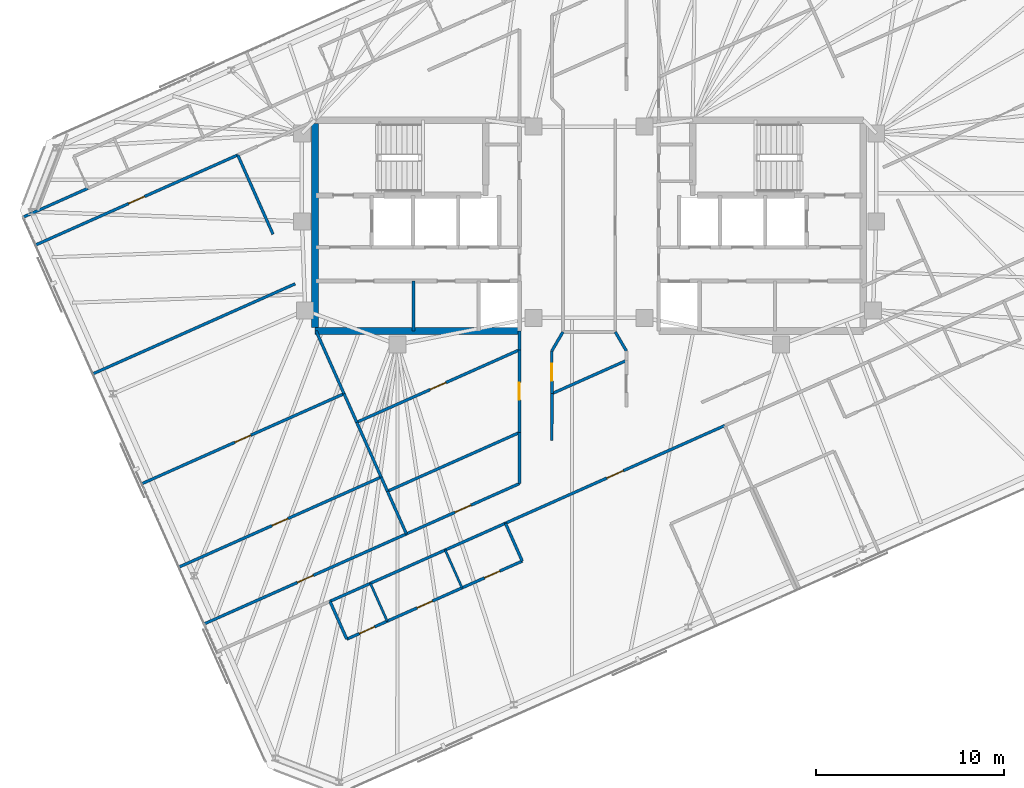
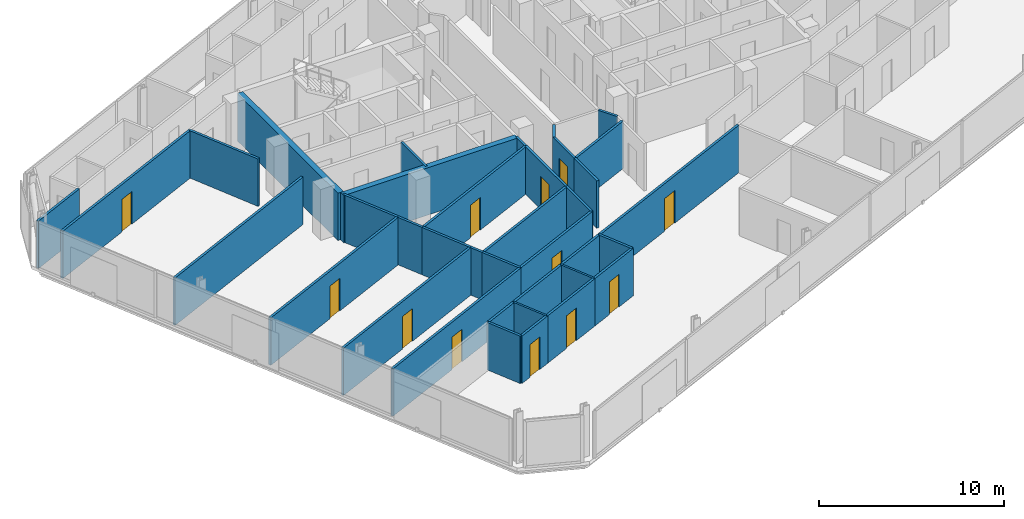
# One storey, part 13 of 19: 37 walls, 12 doors, 12 openings.
"""IFC4 building model written with IfcOpenShell, lengths in metres."""

import ifcopenshell
import ifcopenshell.guid

model = None  # the IFC model being written
_history = None  # IfcOwnerHistory: only IFC2X3 demands one
_inside = {}  # id of a spatial element -> (the spatial element, [elements in it])
_under = {}  # id of a project, library or spatial element -> (it, [spatial elements below it])
_declared = {}  # id of a project -> (the project, [libraries it declares])
_typed = {}  # id of a type object -> (the type object, [elements of that type])
_made_of = {}  # id of a material, layer set ... -> (it, [elements and type objects made of it])


def new_model(schema):
    """Start an empty IFC model of exactly this schema.

    Asked for "IFC4X3", IfcOpenShell would pick the latest addendum, in which some entities
    have other attributes; the version numbers below select the first issue.
    IFC2X3 requires an IfcOwnerHistory on every rooted entity: one is made here for all.
    """
    global model, _history
    if schema == "IFC4X3":
        model = ifcopenshell.file(schema_version=(4, 3, 0, 0))
    else:
        model = ifcopenshell.file(schema=schema)
    _inside.clear()
    _under.clear()
    _declared.clear()
    _typed.clear()
    _made_of.clear()
    _history = None
    if model.schema == "IFC2X3":
        org = make("IfcOrganization", Name="unknown")
        user = make(
            "IfcPersonAndOrganization",
            ThePerson=make("IfcPerson", FamilyName="unknown"),
            TheOrganization=org,
        )
        app = make(
            "IfcApplication",
            ApplicationDeveloper=org,
            Version="unknown",
            ApplicationFullName="unknown",
            ApplicationIdentifier="unknown",
        )
        _history = make(
            "IfcOwnerHistory",
            OwningUser=user,
            OwningApplication=app,
            ChangeAction="ADDED",
            CreationDate=0,
        )
    return model


def make(cls, **values):
    """One entity of the class cls with the attributes given. An attribute that is None is left unset."""
    return model.create_entity(
        cls, **{name: value for name, value in values.items() if value is not None}
    )


def rooted(cls, **values):
    """An entity with a GlobalId (a new one), such as an element, a storey or a relation."""
    return make(cls, GlobalId=ifcopenshell.guid.new(), OwnerHistory=_history, **values)


def si_unit(unit_type, name, prefix=None):
    """IfcSIUnit, for example si_unit("LENGTHUNIT", "METRE", prefix="MILLI")."""
    return make("IfcSIUnit", UnitType=unit_type, Prefix=prefix, Name=name)


def assignment(units):
    """IfcUnitAssignment: the units of a project."""
    return None if units is None else make("IfcUnitAssignment", Units=units)


def point(xyz):
    """IfcCartesianPoint."""
    return None if xyz is None else make("IfcCartesianPoint", Coordinates=xyz)


def direction(xyz):
    """IfcDirection."""
    return None if xyz is None else make("IfcDirection", DirectionRatios=xyz)


def frame(location, z_axis=None, x_axis=None):
    """IfcAxis2Placement3D, a coordinate frame: its origin and axes. An axis left out is left unset."""
    return make(
        "IfcAxis2Placement3D",
        Location=point(location),
        Axis=direction(z_axis),
        RefDirection=direction(x_axis),
    )


def frame_2d(location, x_axis=None):
    """IfcAxis2Placement2D, a coordinate frame in the plane: its origin and x axis."""
    return make(
        "IfcAxis2Placement2D", Location=point(location), RefDirection=direction(x_axis)
    )


def origin():
    """The frame at (0, 0, 0) with its axes left unset."""
    return frame((0.0, 0.0, 0.0))


def place(relative_to, where):
    """IfcLocalPlacement: puts the frame where relative to a parent placement (None: the world)."""
    return make(
        "IfcLocalPlacement", PlacementRelTo=relative_to, RelativePlacement=where
    )


def context(
    kind, dimensions, precision=None, world=None, true_north=None, identifier=None
):
    """IfcGeometricRepresentationContext, for example the 3D "Model" context."""
    return make(
        "IfcGeometricRepresentationContext",
        ContextIdentifier=identifier,
        ContextType=kind,
        CoordinateSpaceDimension=dimensions,
        Precision=precision,
        WorldCoordinateSystem=world,
        TrueNorth=true_north,
    )


def subcontext(parent, identifier, kind, view, scale=None):
    """IfcGeometricRepresentationSubContext, for example "Body" below "Model"."""
    return make(
        "IfcGeometricRepresentationSubContext",
        ContextIdentifier=identifier,
        ContextType=kind,
        ParentContext=parent,
        TargetScale=scale,
        TargetView=view,
    )


def project(units=None, contexts=None):
    """IfcProject with its units and contexts."""
    return rooted(
        "IfcProject",
        Name="project",
        RepresentationContexts=contexts,
        UnitsInContext=assignment(units),
    )


def spatial(cls, under=None, at=None, **own):
    """A site, building, storey or space (cls), placed at a placement, below another one or the project."""
    s = rooted(cls, ObjectPlacement=at, **own)
    if under is not None:
        _under.setdefault(under.id(), (under, []))[1].append(s)
    return s


def profile(cls, at=None, kind="AREA", **sizes):
    """A parametric profile (cls). Its sizes go by their IFC names, for example OverallWidth=200.0."""
    return make(cls, ProfileType=kind, Position=at, **sizes)


def rectangle(**sizes):
    """IfcRectangleProfileDef."""
    return profile("IfcRectangleProfileDef", **sizes)


def extrude(swept, where, along, depth):
    """IfcExtrudedAreaSolid: the profile swept, set in the frame where, extruded along a direction by depth."""
    return make(
        "IfcExtrudedAreaSolid",
        SweptArea=swept,
        Position=where,
        ExtrudedDirection=direction(along),
        Depth=depth,
    )


def shape(context_of_items, identifier, shape_type, items):
    """IfcShapeRepresentation: the items that make up one representation, for example the "Body"."""
    return make(
        "IfcShapeRepresentation",
        ContextOfItems=context_of_items,
        RepresentationIdentifier=identifier,
        RepresentationType=shape_type,
        Items=items,
    )


def material(Name=None, Category=None):
    """IfcMaterial."""
    return make("IfcMaterial", Name=Name, Category=Category)


def layer(
    of_material, thickness, ventilated=None, Name=None, Category=None, Priority=None
):
    """IfcMaterialLayer: one layer of a wall or slab, of a material (None: an air gap)."""
    return make(
        "IfcMaterialLayer",
        Material=of_material,
        LayerThickness=thickness,
        IsVentilated=ventilated,
        Name=Name,
        Category=Category,
        Priority=Priority,
    )


def layer_set(layers, Name=None):
    """IfcMaterialLayerSet."""
    return make("IfcMaterialLayerSet", MaterialLayers=layers, LayerSetName=Name)


def made_of(thing, what):
    """Note that an element or type object is made of a material, layer set ...; save() writes the relation."""
    if what is not None:
        _made_of.setdefault(what.id(), (what, []))[1].append(thing)
    return thing


def type_object(cls, material=None, **own):
    """A type object (cls), such as IfcWallType, which elements share."""
    return made_of(rooted(cls, **own), material)


def element(
    cls,
    number,
    at=None,
    inside=None,
    cuts=None,
    type_object=None,
    material=None,
    context=None,
    identifier="Body",
    shape_type=None,
    held_by="IfcProductDefinitionShape",
    body=None,
    shapes=None,
    **own,
):
    """One element of the class cls, such as IfcWall. Its Tag is "e" and its number.

    at: its placement. inside: the storey or other place that contains it. cuts: it is an
    opening in that element (IfcRelVoidsElement). A single representation is given by context,
    identifier, shape_type and body (its items); several are given by shapes. held_by: the class
    of the entity that holds the representations. save() writes the other relations.
    """
    e = rooted(cls, Tag="e%d" % number, ObjectPlacement=at, **own)
    if body is not None:
        shapes = [shape(context, identifier, shape_type, body)]
    if shapes is not None:
        e.Representation = make(held_by, Representations=shapes)
    if inside is not None:
        _inside.setdefault(inside.id(), (inside, []))[1].append(e)
    if cuts is not None:
        rooted(
            "IfcRelVoidsElement", RelatingBuildingElement=cuts, RelatedOpeningElement=e
        )
    if type_object is not None:
        _typed.setdefault(type_object.id(), (type_object, []))[1].append(e)
    return made_of(e, material)


def fill(opening, filler):
    """IfcRelFillsElement: the door or window that sits in an opening."""
    return rooted(
        "IfcRelFillsElement",
        RelatingOpeningElement=opening,
        RelatedBuildingElement=filler,
    )


def aggregate(whole, parts):
    """IfcRelAggregates: a whole, such as a stair, and the parts it consists of."""
    return rooted("IfcRelAggregates", RelatingObject=whole, RelatedObjects=parts)


def save(model, path):
    """Write the relations noted so far, then the file.

    IfcRelAggregates (storeys below a building ...), IfcRelContainedInSpatialStructure (elements
    in a storey), IfcRelDefinesByType, IfcRelAssociatesMaterial and IfcRelDeclares: one each for
    every whole, place, type object, material and project.
    """
    for whole, parts in _under.values():
        aggregate(whole, parts)
    for where, things in _inside.values():
        rooted(
            "IfcRelContainedInSpatialStructure",
            RelatedElements=things,
            RelatingStructure=where,
        )
    for kind, things in _typed.values():
        rooted("IfcRelDefinesByType", RelatedObjects=things, RelatingType=kind)
    for what, things in _made_of.values():
        rooted("IfcRelAssociatesMaterial", RelatedObjects=things, RelatingMaterial=what)
    for by, libraries in _declared.values():
        rooted("IfcRelDeclares", RelatingContext=by, RelatedDefinitions=libraries)
    model.write(path)


model = new_model("IFC4")

# Units and contexts
model_context = context("Model", 3, precision=1e-05, world=origin(), true_north=direction((0.0, 1.0)))
body_context = subcontext(model_context, "Body", "Model", "MODEL_VIEW")
ifc_project = project(units=[si_unit("LENGTHUNIT", "METRE"), si_unit("AREAUNIT", "SQUARE_METRE"), si_unit("VOLUMEUNIT", "CUBIC_METRE"), si_unit("PLANEANGLEUNIT", "RADIAN"), si_unit("MASSUNIT", "GRAM", prefix="KILO")], contexts=[model_context])

# Site, building, storey
site_placement = place(None, origin())
site = spatial("IfcSite", under=ifc_project, at=site_placement, CompositionType="ELEMENT")
building_placement = place(site_placement, origin())
building = spatial("IfcBuilding", under=site, at=building_placement, Name="Menara Jurai Vektor", CompositionType="ELEMENT")
storey_placement = place(building_placement, frame((0.0, 0.0, 291.949951171875)))
storey = spatial("IfcBuildingStorey", under=building, at=storey_placement, Name="L78", CompositionType="ELEMENT", Elevation=291.949951171875)

# Walls
ifc_material_1 = material(Name="Gypsum Fireboard Partition", Category="gypsum")
ifc_layer_1 = layer(ifc_material_1, 0.14990234375)
ifc_layer_set_1 = layer_set([ifc_layer_1], Name="Gypsum Fireboard Partition")
wall_type_1 = type_object("IfcWallType", Name="INT-WALL-CORR-150", PredefinedType="PARTITIONING", material=ifc_layer_set_1)
wall_1_placement = place(storey_placement, frame((-9.320068359375, -5.60009765625, 0.0), z_axis=(0.0, 0.0, 1.0), x_axis=(0.0, 1.0, 0.0)))
element("IfcWall", 1, at=wall_1_placement, inside=storey, type_object=wall_type_1, Name="Interior Wall IW-150 L78", PredefinedType="PARTITIONING", context=body_context, shape_type="SweptSolid", body=[
    extrude(rectangle(XDim=2.650146484375, YDim=0.14990234375, at=frame_2d((1.3251953125, 0.0))), origin(), (0.0, 0.0, 1.0), 3.125),
])
wall_2_placement = place(storey_placement, frame((-30.063232421875, 0.44384765625, 0.0), z_axis=(0.0, 0.0, 1.0), x_axis=(0.913541633228, 0.406745232743, 0.0)))
element("IfcWall", 2, at=wall_2_placement, inside=storey, type_object=wall_type_1, Name="Interior Wall IW-150 L78", PredefinedType="PARTITIONING", context=body_context, shape_type="SweptSolid", body=[
    extrude(rectangle(XDim=3.77001953125, YDim=0.14990234375, at=frame_2d((1.885009765625, 0.0))), origin(), (0.0, 0.0, 1.0), 3.125),
])

# Wall, opening, door
wall_3_placement = place(storey_placement, frame((-4.445068359375, -15.808349609375, 0.0), z_axis=(0.0, 0.0, 1.0), x_axis=(0.913546853922, 0.406733506966, 0.0)))
wall_3 = element("IfcWall", 3, at=wall_3_placement, inside=storey, type_object=wall_type_1, Name="Interior Wall IW-150 L78", PredefinedType="PARTITIONING", context=body_context, shape_type="SweptSolid", body=[
    extrude(rectangle(XDim=12.7509765625, YDim=0.14990234375, at=frame_2d((6.37548828125, 0.0))), origin(), (0.0, 0.0, 1.0), 3.125),
])
opening_1_placement = place(wall_3_placement, frame((5.900390625, 0.0, 0.0)))
opening_1 = element("IfcOpeningElement", 4, at=opening_1_placement, cuts=wall_3, Name="Opening D78-21", PredefinedType="OPENING", context=body_context, shape_type="SweptSolid", body=[
    extrude(rectangle(XDim=0.949951171875, YDim=2.14990234375, at=frame_2d((0.47509765625, 1.074951171875))), frame((0.0, 0.0849609375, 0.0), z_axis=(0.0, -1.0, 0.0), x_axis=(1.0, 0.0, 0.0)), (0.0, 0.0, 1.0), 0.169921875),
])
ifc_material_2 = material(Name="Solid Core Timber Fire Door", Category="wood")
door_type_1 = type_object("IfcDoorType", Name="DR-ENTRY-950", OperationType="NOTDEFINED", PredefinedType="DOOR", material=ifc_material_2)
door_1_placement = place(opening_1_placement, origin())
door_1 = element("IfcDoor", 5, at=door_1_placement, inside=storey, type_object=door_type_1, Name="Interior Door D78-21", OperationType="SINGLE_SWING_RIGHT", OverallHeight=2.14990234375, OverallWidth=0.949951171875, PredefinedType="DOOR", context=body_context, shape_type="SweptSolid", body=[
    extrude(rectangle(XDim=0.949951171875, YDim=2.14990234375, at=frame_2d((0.47509765625, 1.074951171875))), frame((0.0, 0.02490234375, 0.0), z_axis=(0.0, -1.0, 0.0), x_axis=(1.0, 0.0, 0.0)), (0.0, 0.0, 1.0), 0.050048828125),
])
fill(opening_1, door_1)

# Walls
wall_4_placement = place(storey_placement, frame((-13.76318359375, -19.95703125, 0.0), z_axis=(0.0, 0.0, 1.0), x_axis=(0.913541436194, 0.406745675276, 0.0)))
element("IfcWall", 6, at=wall_4_placement, inside=storey, type_object=wall_type_1, Name="Interior Wall IW-150 L78", PredefinedType="PARTITIONING", context=body_context, shape_type="SweptSolid", body=[
    extrude(rectangle(XDim=2.349853515625, YDim=0.14990234375, at=frame_2d((1.1748046875, 0.0))), origin(), (0.0, 0.0, 1.0), 3.125),
])
wall_5_placement = place(storey_placement, frame((-11.616455078125, -19.001220703125, 0.0), z_axis=(0.0, 0.0, 1.0), x_axis=(0.913545193015, 0.406737237438, 0.0)))
element("IfcWall", 7, at=wall_5_placement, inside=storey, type_object=wall_type_1, Name="Interior Wall IW-150 L78", PredefinedType="PARTITIONING", context=body_context, shape_type="SweptSolid", body=[
    extrude(rectangle(XDim=4.349853515625, YDim=0.14990234375, at=frame_2d((2.1748046875, 0.0))), origin(), (0.0, 0.0, 1.0), 3.125),
])
wall_6_placement = place(storey_placement, frame((-7.642578125, -17.23193359375, 0.0), z_axis=(0.0, 0.0, 1.0), x_axis=(0.913549606868, 0.406727323635, 0.0)))
element("IfcWall", 8, at=wall_6_placement, inside=storey, type_object=wall_type_1, Name="Interior Wall IW-150 L78", PredefinedType="PARTITIONING", context=body_context, shape_type="SweptSolid", body=[
    extrude(rectangle(XDim=3.5, YDim=0.14990234375, at=frame_2d((1.75, 0.0))), origin(), (0.0, 0.0, 1.0), 3.125),
])

# Wall, opening, door
wall_7_placement = place(storey_placement, frame((-20.4453125, -21.15869140625, 0.0), z_axis=(0.0, 0.0, 1.0), x_axis=(0.913547681516, 0.406731648137, 0.0)))
wall_7 = element("IfcWall", 9, at=wall_7_placement, inside=storey, type_object=wall_type_1, Name="Interior Wall IW-150 L78", PredefinedType="PARTITIONING", context=body_context, shape_type="SweptSolid", body=[
    extrude(rectangle(XDim=11.760009765625, YDim=0.14990234375, at=frame_2d((5.8798828125, 0.0))), origin(), (0.0, 0.0, 1.0), 3.125),
])
opening_2_placement = place(wall_7_placement, frame((5.419921875, 0.0, 0.0)))
opening_2 = element("IfcOpeningElement", 10, at=opening_2_placement, cuts=wall_7, Name="Opening D78-31", PredefinedType="OPENING", context=body_context, shape_type="SweptSolid", body=[
    extrude(rectangle(XDim=0.919921875, YDim=2.14990234375, at=frame_2d((0.4599609375, 1.074951171875))), frame((0.0, 0.0849609375, 0.0), z_axis=(0.0, -1.0, 0.0), x_axis=(1.0, 0.0, 0.0)), (0.0, 0.0, 1.0), 0.169921875),
])
door_2_placement = place(opening_2_placement, origin())
door_2 = element("IfcDoor", 11, at=door_2_placement, inside=storey, type_object=door_type_1, Name="Interior Door D78-31", OperationType="SINGLE_SWING_RIGHT", OverallHeight=2.14990234375, OverallWidth=0.919921875, PredefinedType="DOOR", context=body_context, shape_type="SweptSolid", body=[
    extrude(rectangle(XDim=0.919921875, YDim=2.14990234375, at=frame_2d((0.4599609375, 1.074951171875))), frame((0.0, 0.02490234375, 0.0), z_axis=(0.0, -1.0, 0.0), x_axis=(1.0, 0.0, 0.0)), (0.0, 0.0, 1.0), 0.050048828125),
])
fill(opening_2, door_2)

wall_8_placement = place(storey_placement, frame((-29.404296875, -1.0361328125, 0.0), z_axis=(0.0, 0.0, 1.0), x_axis=(0.913544247064, 0.406739362069, 0.0)))
wall_8 = element("IfcWall", 12, at=wall_8_placement, inside=storey, type_object=wall_type_1, Name="Interior Wall IW-150 L78", PredefinedType="PARTITIONING", context=body_context, shape_type="SweptSolid", body=[
    extrude(rectangle(XDim=11.759765625, YDim=0.14990234375, at=frame_2d((5.8798828125, 0.0))), origin(), (0.0, 0.0, 1.0), 3.125),
])
opening_3_placement = place(wall_8_placement, frame((5.419921875, 0.0, 0.0)))
opening_3 = element("IfcOpeningElement", 13, at=opening_3_placement, cuts=wall_8, Name="Opening D78-34", PredefinedType="OPENING", context=body_context, shape_type="SweptSolid", body=[
    extrude(rectangle(XDim=0.919921875, YDim=2.14990234375, at=frame_2d((0.4599609375, 1.074951171875))), frame((0.0, 0.0849609375, 0.0), z_axis=(0.0, -1.0, 0.0), x_axis=(1.0, 0.0, 0.0)), (0.0, 0.0, 1.0), 0.169921875),
])
door_3_placement = place(opening_3_placement, origin())
door_3 = element("IfcDoor", 14, at=door_3_placement, inside=storey, type_object=door_type_1, Name="Interior Door D78-34", OperationType="SINGLE_SWING_LEFT", OverallHeight=2.14990234375, OverallWidth=0.919921875, PredefinedType="DOOR", context=body_context, shape_type="SweptSolid", body=[
    extrude(rectangle(XDim=0.919921875, YDim=2.14990234375, at=frame_2d((0.4599609375, 1.074951171875))), frame((0.0, 0.02490234375, 0.0), z_axis=(0.0, -1.0, 0.0), x_axis=(1.0, 0.0, 0.0)), (0.0, 0.0, 1.0), 0.050048828125),
])
fill(opening_3, door_3)

# Wall
wall_9_placement = place(storey_placement, frame((-1.97998046875, -11.4072265625, 0.0), z_axis=(0.0, 0.0, 1.0), x_axis=(9.8551295e-05, 0.999999995144, 0.0)))
element("IfcWall", 15, at=wall_9_placement, inside=storey, type_object=wall_type_1, Name="Interior Wall IW-150 L78", PredefinedType="PARTITIONING", context=body_context, shape_type="SweptSolid", body=[
    extrude(rectangle(XDim=2.477294921875, YDim=0.14990234375, at=frame_2d((1.23876953125, 0.0))), origin(), (0.0, 0.0, 1.0), 3.125),
])

# Wall, opening, door
wall_10_placement = place(storey_placement, frame((-1.979736328125, -8.929931640625, 0.0), z_axis=(0.0, 0.0, 1.0), x_axis=(-0.000107446008, 0.999999994228, 0.0)))
wall_10 = element("IfcWall", 16, at=wall_10_placement, inside=storey, type_object=wall_type_1, Name="Interior Wall IW-150 L78", PredefinedType="PARTITIONING", context=body_context, shape_type="SweptSolid", body=[
    extrude(rectangle(XDim=2.272216796875, YDim=0.14990234375, at=frame_2d((1.13623046875, 0.0))), origin(), (0.0, 0.0, 1.0), 3.125),
])
opening_4_placement = place(wall_10_placement, frame((0.67626953125, 0.0, 0.0)))
opening_4 = element("IfcOpeningElement", 17, at=opening_4_placement, cuts=wall_10, Name="Opening D78-37", PredefinedType="OPENING", context=body_context, shape_type="SweptSolid", body=[
    extrude(rectangle(XDim=0.919921875, YDim=2.14990234375, at=frame_2d((0.4599609375, 1.074951171875))), frame((0.0, 0.0849609375, 0.0), z_axis=(0.0, -1.0, 0.0), x_axis=(1.0, 0.0, 0.0)), (0.0, 0.0, 1.0), 0.169921875),
])
door_4_placement = place(opening_4_placement, origin())
door_4 = element("IfcDoor", 18, at=door_4_placement, inside=storey, type_object=door_type_1, Name="Interior Door D78-37", OperationType="SINGLE_SWING_RIGHT", OverallHeight=2.14990234375, OverallWidth=0.919921875, PredefinedType="DOOR", context=body_context, shape_type="SweptSolid", body=[
    extrude(rectangle(XDim=0.919921875, YDim=2.14990234375, at=frame_2d((0.4599609375, 1.074951171875))), frame((0.0, 0.02490234375, 0.0), z_axis=(0.0, -1.0, 0.0), x_axis=(1.0, 0.0, 0.0)), (0.0, 0.0, 1.0), 0.050048828125),
])
fill(opening_4, door_4)

# Walls
wall_11_placement = place(storey_placement, frame((-1.97998046875, -6.65771484375, 0.0), z_axis=(0.0, 0.0, 1.0), x_axis=(0.504651025514, 0.863323428645, 0.0)))
element("IfcWall", 19, at=wall_11_placement, inside=storey, type_object=wall_type_1, Name="Interior Wall IW-150 L78", PredefinedType="PARTITIONING", context=body_context, shape_type="SweptSolid", body=[
    extrude(rectangle(XDim=1.16748046875, YDim=0.14990234375, at=frame_2d((0.583740234375, 0.0))), origin(), (0.0, 0.0, 1.0), 3.125),
])
wall_12_placement = place(storey_placement, frame((1.390869140625, -5.650390625, 0.0), z_axis=(0.0, 0.0, 1.0), x_axis=(0.504339173621, -0.863505644424, 0.0)))
element("IfcWall", 20, at=wall_12_placement, inside=storey, type_object=wall_type_1, Name="Interior Wall IW-150 L78", PredefinedType="PARTITIONING", context=body_context, shape_type="SweptSolid", body=[
    extrude(rectangle(XDim=1.167236328125, YDim=0.14990234375, at=frame_2d((0.58349609375, 0.0))), origin(), (0.0, 0.0, 1.0), 3.125),
])

# Wall, opening, door
wall_13_placement = place(storey_placement, frame((-9.701904296875, -16.37548828125, 0.0), z_axis=(0.0, 0.0, 1.0), x_axis=(0.913552389019, 0.406721074594, 0.0)))
wall_13 = element("IfcWall", 21, at=wall_13_placement, inside=storey, type_object=wall_type_1, Name="Interior Wall IW-150 L78", PredefinedType="PARTITIONING", context=body_context, shape_type="SweptSolid", body=[
    extrude(rectangle(XDim=6.56982421875, YDim=0.14990234375, at=frame_2d((3.284912109375, 0.0))), origin(), (0.0, 0.0, 1.0), 3.125),
])
opening_5_placement = place(wall_13_placement, frame((2.824951171875, 0.0, 0.0)))
opening_5 = element("IfcOpeningElement", 22, at=opening_5_placement, cuts=wall_13, Name="Opening D78-40", PredefinedType="OPENING", context=body_context, shape_type="SweptSolid", body=[
    extrude(rectangle(XDim=0.919921875, YDim=2.14990234375, at=frame_2d((0.4599609375, 1.074951171875))), frame((0.0, 0.0849609375, 0.0), z_axis=(0.0, -1.0, 0.0), x_axis=(1.0, 0.0, 0.0)), (0.0, 0.0, 1.0), 0.169921875),
])
door_5_placement = place(opening_5_placement, origin())
door_5 = element("IfcDoor", 23, at=door_5_placement, inside=storey, type_object=door_type_1, Name="Interior Door D78-40", OperationType="SINGLE_SWING_LEFT", OverallHeight=2.14990234375, OverallWidth=0.919921875, PredefinedType="DOOR", context=body_context, shape_type="SweptSolid", body=[
    extrude(rectangle(XDim=0.919921875, YDim=2.14990234375, at=frame_2d((0.4599609375, 1.074951171875))), frame((0.0, 0.02490234375, 0.0), z_axis=(0.0, -1.0, 0.0), x_axis=(1.0, 0.0, 0.0)), (0.0, 0.0, 1.0), 0.050048828125),
])
fill(opening_5, door_5)

# Wall
wall_14_placement = place(storey_placement, frame((-3.699951171875, -13.703369140625, 0.0), z_axis=(0.0, 0.0, 1.0), x_axis=(9.0033312e-05, 0.999999995947, 0.0)))
element("IfcWall", 24, at=wall_14_placement, inside=storey, type_object=wall_type_1, Name="Interior Wall IW-150 L78", PredefinedType="PARTITIONING", context=body_context, shape_type="SweptSolid", body=[
    extrude(rectangle(XDim=2.711669921875, YDim=0.14990234375, at=frame_2d((1.35595703125, 0.0))), origin(), (0.0, 0.0, 1.0), 3.125),
])

# Wall, opening, door
wall_15_placement = place(storey_placement, frame((-3.69970703125, -10.99169921875, 0.0), z_axis=(0.0, 0.0, 1.0), x_axis=(0.0, 1.0, 0.0)))
wall_15 = element("IfcWall", 25, at=wall_15_placement, inside=storey, type_object=wall_type_1, Name="Interior Wall IW-150 L78", PredefinedType="PARTITIONING", context=body_context, shape_type="SweptSolid", body=[
    extrude(rectangle(XDim=4.390625, YDim=0.14990234375, at=frame_2d((2.1953125, 0.0))), origin(), (0.0, 0.0, 1.0), 3.125),
])
opening_6_placement = place(wall_15_placement, frame((1.7353515625, 0.0, 0.0)))
opening_6 = element("IfcOpeningElement", 26, at=opening_6_placement, cuts=wall_15, Name="Opening D78-41", PredefinedType="OPENING", context=body_context, shape_type="SweptSolid", body=[
    extrude(rectangle(XDim=0.919921875, YDim=2.14990234375, at=frame_2d((0.4599609375, 1.074951171875))), frame((0.0, 0.0849609375, 0.0), z_axis=(0.0, -1.0, 0.0), x_axis=(1.0, 0.0, 0.0)), (0.0, 0.0, 1.0), 0.169921875),
])
door_6_placement = place(opening_6_placement, origin())
door_6 = element("IfcDoor", 27, at=door_6_placement, inside=storey, type_object=door_type_1, Name="Interior Door D78-41", OperationType="SINGLE_SWING_RIGHT", OverallHeight=2.14990234375, OverallWidth=0.919921875, PredefinedType="DOOR", context=body_context, shape_type="SweptSolid", body=[
    extrude(rectangle(XDim=0.919921875, YDim=2.14990234375, at=frame_2d((0.4599609375, 1.074951171875))), frame((0.0, 0.02490234375, 0.0), z_axis=(0.0, -1.0, 0.0), x_axis=(1.0, 0.0, 0.0)), (0.0, 0.0, 1.0), 0.050048828125),
])
fill(opening_6, door_6)

# Walls
wall_16_placement = place(storey_placement, frame((-3.69970703125, -6.60107421875, 0.0), z_axis=(0.0, 0.0, 1.0), x_axis=(-0.000243783513, 0.999999970285, 0.0)))
element("IfcWall", 28, at=wall_16_placement, inside=storey, type_object=wall_type_1, Name="Interior Wall IW-150 L78", PredefinedType="PARTITIONING", context=body_context, shape_type="SweptSolid", body=[
    extrude(rectangle(XDim=1.00146484375, YDim=0.14990234375, at=frame_2d((0.500732421875, 0.0))), origin(), (0.0, 0.0, 1.0), 3.125),
])
wall_17_placement = place(storey_placement, frame((-12.868408203125, -21.966796875, 0.0), z_axis=(0.0, 0.0, 1.0), x_axis=(-0.406725294076, 0.913550510459, 0.0)))
element("IfcWall", 29, at=wall_17_placement, inside=storey, type_object=wall_type_1, Name="Interior Wall IW-150 L78", PredefinedType="PARTITIONING", context=body_context, shape_type="SweptSolid", body=[
    extrude(rectangle(XDim=2.199951171875, YDim=0.14990234375, at=frame_2d((1.10009765625, 0.0))), origin(), (0.0, 0.0, 1.0), 3.125),
])

# Wall, opening, door
wall_18_placement = place(storey_placement, frame((-12.868408203125, -21.966796875, 0.0), z_axis=(0.0, 0.0, 1.0), x_axis=(0.913541436194, 0.406745675276, 0.0)))
wall_18 = element("IfcWall", 30, at=wall_18_placement, inside=storey, type_object=wall_type_1, Name="Interior Wall IW-150 L78", PredefinedType="PARTITIONING", context=body_context, shape_type="SweptSolid", body=[
    extrude(rectangle(XDim=2.349853515625, YDim=0.14990234375, at=frame_2d((1.1748046875, 0.0))), origin(), (0.0, 0.0, 1.0), 3.125),
])
opening_7_placement = place(wall_18_placement, frame((0.735107421875, 0.0, 0.0)))
opening_7 = element("IfcOpeningElement", 31, at=opening_7_placement, cuts=wall_18, Name="Opening D78-22", PredefinedType="OPENING", context=body_context, shape_type="SweptSolid", body=[
    extrude(rectangle(XDim=0.8798828125, YDim=2.14990234375, at=frame_2d((0.43994140625, 1.074951171875))), frame((0.0, 0.0849609375, 0.0), z_axis=(0.0, -1.0, 0.0), x_axis=(1.0, 0.0, 0.0)), (0.0, 0.0, 1.0), 0.169921875),
])
ifc_material_3 = material(Name="Moisture-Resistant Timber Door", Category="wood")
door_type_2 = type_object("IfcDoorType", Name="DR-BATH-880", OperationType="NOTDEFINED", PredefinedType="DOOR", material=ifc_material_3)
door_7_placement = place(opening_7_placement, origin())
door_7 = element("IfcDoor", 32, at=door_7_placement, inside=storey, type_object=door_type_2, Name="Interior Door D78-22", OperationType="SINGLE_SWING_LEFT", OverallHeight=2.14990234375, OverallWidth=0.8798828125, PredefinedType="DOOR", context=body_context, shape_type="SweptSolid", body=[
    extrude(rectangle(XDim=0.8798828125, YDim=2.14990234375, at=frame_2d((0.43994140625, 1.074951171875))), frame((0.0, 0.02490234375, 0.0), z_axis=(0.0, -1.0, 0.0), x_axis=(1.0, 0.0, 0.0)), (0.0, 0.0, 1.0), 0.050048828125),
])
fill(opening_7, door_7)

wall_19_placement = place(storey_placement, frame((-10.7216796875, -21.010986328125, 0.0), z_axis=(0.0, 0.0, 1.0), x_axis=(0.913545193015, 0.406737237438, 0.0)))
wall_19 = element("IfcWall", 33, at=wall_19_placement, inside=storey, type_object=wall_type_1, Name="Interior Wall IW-150 L78", PredefinedType="PARTITIONING", context=body_context, shape_type="SweptSolid", body=[
    extrude(rectangle(XDim=4.349853515625, YDim=0.14990234375, at=frame_2d((2.1748046875, 0.0))), origin(), (0.0, 0.0, 1.0), 3.125),
])
opening_8_placement = place(wall_19_placement, frame((1.72509765625, 0.0, 0.0)))
opening_8 = element("IfcOpeningElement", 34, at=opening_8_placement, cuts=wall_19, Name="Opening D78-23", PredefinedType="OPENING", context=body_context, shape_type="SweptSolid", body=[
    extrude(rectangle(XDim=0.89990234375, YDim=2.14990234375, at=frame_2d((0.449951171875, 1.074951171875))), frame((0.0, 0.0849609375, 0.0), z_axis=(0.0, -1.0, 0.0), x_axis=(1.0, 0.0, 0.0)), (0.0, 0.0, 1.0), 0.169921875),
])
ifc_material_4 = material(Name="Acoustic Timber Interior Door", Category="wood")
door_type_3 = type_object("IfcDoorType", Name="DR-ROOM-900", OperationType="NOTDEFINED", PredefinedType="DOOR", material=ifc_material_4)
door_8_placement = place(opening_8_placement, origin())
door_8 = element("IfcDoor", 35, at=door_8_placement, inside=storey, type_object=door_type_3, Name="Interior Door D78-23", OperationType="SINGLE_SWING_RIGHT", OverallHeight=2.14990234375, OverallWidth=0.89990234375, PredefinedType="DOOR", context=body_context, shape_type="SweptSolid", body=[
    extrude(rectangle(XDim=0.89990234375, YDim=2.14990234375, at=frame_2d((0.449951171875, 1.074951171875))), frame((0.0, 0.02490234375, 0.0), z_axis=(0.0, -1.0, 0.0), x_axis=(1.0, 0.0, 0.0)), (0.0, 0.0, 1.0), 0.050048828125),
])
fill(opening_8, door_8)

wall_20_placement = place(storey_placement, frame((-6.747802734375, -19.24169921875, 0.0), z_axis=(0.0, 0.0, 1.0), x_axis=(0.913549606868, 0.406727323635, 0.0)))
wall_20 = element("IfcWall", 36, at=wall_20_placement, inside=storey, type_object=wall_type_1, Name="Interior Wall IW-150 L78", PredefinedType="PARTITIONING", context=body_context, shape_type="SweptSolid", body=[
    extrude(rectangle(XDim=3.5, YDim=0.14990234375, at=frame_2d((1.75, 0.0))), origin(), (0.0, 0.0, 1.0), 3.125),
])
opening_9_placement = place(wall_20_placement, frame((1.31005859375, 0.0, 0.0)))
opening_9 = element("IfcOpeningElement", 37, at=opening_9_placement, cuts=wall_20, Name="Opening D78-24", PredefinedType="OPENING", context=body_context, shape_type="SweptSolid", body=[
    extrude(rectangle(XDim=0.8798828125, YDim=2.14990234375, at=frame_2d((0.43994140625, 1.074951171875))), frame((0.0, 0.0849609375, 0.0), z_axis=(0.0, -1.0, 0.0), x_axis=(1.0, 0.0, 0.0)), (0.0, 0.0, 1.0), 0.169921875),
])
door_9_placement = place(opening_9_placement, origin())
door_9 = element("IfcDoor", 38, at=door_9_placement, inside=storey, type_object=door_type_2, Name="Interior Door D78-24", OperationType="SINGLE_SWING_LEFT", OverallHeight=2.14990234375, OverallWidth=0.8798828125, PredefinedType="DOOR", context=body_context, shape_type="SweptSolid", body=[
    extrude(rectangle(XDim=0.8798828125, YDim=2.14990234375, at=frame_2d((0.43994140625, 1.074951171875))), frame((0.0, 0.02490234375, 0.0), z_axis=(0.0, -1.0, 0.0), x_axis=(1.0, 0.0, 0.0)), (0.0, 0.0, 1.0), 0.050048828125),
])
fill(opening_9, door_9)

# Wall
wall_21_placement = place(storey_placement, frame((-3.55029296875, -17.818115234375, 0.0), z_axis=(0.0, 0.0, 1.0), x_axis=(-0.406725294076, 0.913550510459, 0.0)))
element("IfcWall", 39, at=wall_21_placement, inside=storey, type_object=wall_type_1, Name="Interior Wall IW-150 L78", PredefinedType="PARTITIONING", context=body_context, shape_type="SweptSolid", body=[
    extrude(rectangle(XDim=2.199951171875, YDim=0.14990234375, at=frame_2d((1.10009765625, 0.0))), origin(), (0.0, 0.0, 1.0), 3.125),
])

# Wall, opening, door
wall_22_placement = place(storey_placement, frame((-21.7890625, -18.140380859375, 0.0), z_axis=(0.0, 0.0, 1.0), x_axis=(0.913544247064, 0.406739362069, 0.0)))
wall_22 = element("IfcWall", 40, at=wall_22_placement, inside=storey, type_object=wall_type_1, Name="Interior Wall IW-150 L78", PredefinedType="PARTITIONING", context=body_context, shape_type="SweptSolid", body=[
    extrude(rectangle(XDim=11.759765625, YDim=0.14990234375, at=frame_2d((5.8798828125, 0.0))), origin(), (0.0, 0.0, 1.0), 3.125),
])
opening_10_placement = place(wall_22_placement, frame((5.419921875, 0.0, 0.0)))
opening_10 = element("IfcOpeningElement", 41, at=opening_10_placement, cuts=wall_22, Name="Opening D78-32", PredefinedType="OPENING", context=body_context, shape_type="SweptSolid", body=[
    extrude(rectangle(XDim=0.919921875, YDim=2.14990234375, at=frame_2d((0.4599609375, 1.074951171875))), frame((0.0, 0.0849609375, 0.0), z_axis=(0.0, -1.0, 0.0), x_axis=(1.0, 0.0, 0.0)), (0.0, 0.0, 1.0), 0.169921875),
])
door_10_placement = place(opening_10_placement, origin())
door_10 = element("IfcDoor", 42, at=door_10_placement, inside=storey, type_object=door_type_1, Name="Interior Door D78-32", OperationType="SINGLE_SWING_LEFT", OverallHeight=2.14990234375, OverallWidth=0.919921875, PredefinedType="DOOR", context=body_context, shape_type="SweptSolid", body=[
    extrude(rectangle(XDim=0.919921875, YDim=2.14990234375, at=frame_2d((0.4599609375, 1.074951171875))), frame((0.0, 0.02490234375, 0.0), z_axis=(0.0, -1.0, 0.0), x_axis=(1.0, 0.0, 0.0)), (0.0, 0.0, 1.0), 0.050048828125),
])
fill(opening_10, door_10)

# Walls
wall_23_placement = place(storey_placement, frame((-9.701904296875, -16.37548828125, 0.0), z_axis=(0.0, 0.0, 1.0), x_axis=(-0.406787689018, 0.913522728816, 0.0)))
element("IfcWall", 43, at=wall_23_placement, inside=storey, type_object=wall_type_1, Name="Interior Wall IW-150 L78", PredefinedType="PARTITIONING", context=body_context, shape_type="SweptSolid", body=[
    extrude(rectangle(XDim=2.476806640625, YDim=0.14990234375, at=frame_2d((1.23828125, 0.0))), origin(), (0.0, 0.0, 1.0), 3.125),
])
wall_24_placement = place(storey_placement, frame((-10.70947265625, -14.11279296875, 0.0), z_axis=(0.0, 0.0, 1.0), x_axis=(-0.406740884734, 0.913543569123, 0.0)))
element("IfcWall", 44, at=wall_24_placement, inside=storey, type_object=wall_type_1, Name="Interior Wall IW-150 L78", PredefinedType="PARTITIONING", context=body_context, shape_type="SweptSolid", body=[
    extrude(rectangle(XDim=0.8271484375, YDim=0.14990234375, at=frame_2d((0.41357421875, 0.0))), origin(), (0.0, 0.0, 1.0), 3.125),
])

# Wall, opening, door
wall_25_placement = place(storey_placement, frame((-23.760009765625, -13.71337890625, 0.0), z_axis=(0.0, 0.0, 1.0), x_axis=(0.913544247064, 0.406739362069, 0.0)))
wall_25 = element("IfcWall", 45, at=wall_25_placement, inside=storey, type_object=wall_type_1, Name="Interior Wall IW-150 L78", PredefinedType="PARTITIONING", context=body_context, shape_type="SweptSolid", body=[
    extrude(rectangle(XDim=11.759765625, YDim=0.14990234375, at=frame_2d((5.8798828125, 0.0))), origin(), (0.0, 0.0, 1.0), 3.125),
])
opening_11_placement = place(wall_25_placement, frame((5.419921875, 0.0, 0.0)))
opening_11 = element("IfcOpeningElement", 46, at=opening_11_placement, cuts=wall_25, Name="Opening D78-33", PredefinedType="OPENING", context=body_context, shape_type="SweptSolid", body=[
    extrude(rectangle(XDim=0.919921875, YDim=2.14990234375, at=frame_2d((0.4599609375, 1.074951171875))), frame((0.0, 0.0849609375, 0.0), z_axis=(0.0, -1.0, 0.0), x_axis=(1.0, 0.0, 0.0)), (0.0, 0.0, 1.0), 0.169921875),
])
door_11_placement = place(opening_11_placement, origin())
door_11 = element("IfcDoor", 47, at=door_11_placement, inside=storey, type_object=door_type_1, Name="Interior Door D78-33", OperationType="SINGLE_SWING_RIGHT", OverallHeight=2.14990234375, OverallWidth=0.919921875, PredefinedType="DOOR", context=body_context, shape_type="SweptSolid", body=[
    extrude(rectangle(XDim=0.919921875, YDim=2.14990234375, at=frame_2d((0.4599609375, 1.074951171875))), frame((0.0, 0.02490234375, 0.0), z_axis=(0.0, -1.0, 0.0), x_axis=(1.0, 0.0, 0.0)), (0.0, 0.0, 1.0), 0.050048828125),
])
fill(opening_11, door_11)

# Walls
wall_26_placement = place(storey_placement, frame((-11.0458984375, -13.357177734375, 0.0), z_axis=(0.0, 0.0, 1.0), x_axis=(-0.406707553978, 0.913558408388, 0.0)))
element("IfcWall", 48, at=wall_26_placement, inside=storey, type_object=wall_type_1, Name="Interior Wall IW-150 L78", PredefinedType="PARTITIONING", context=body_context, shape_type="SweptSolid", body=[
    extrude(rectangle(XDim=3.183837890625, YDim=0.14990234375, at=frame_2d((1.591796875, 0.0))), origin(), (0.0, 0.0, 1.0), 3.125),
])
wall_27_placement = place(storey_placement, frame((-12.3408203125, -10.448486328125, 0.0), z_axis=(0.0, 0.0, 1.0), x_axis=(-0.406751698222, 0.913538754511, 0.0)))
element("IfcWall", 49, at=wall_27_placement, inside=storey, type_object=wall_type_1, Name="Interior Wall IW-150 L78", PredefinedType="PARTITIONING", context=body_context, shape_type="SweptSolid", body=[
    extrude(rectangle(XDim=1.662109375, YDim=0.14990234375, at=frame_2d((0.8310546875, 0.0))), origin(), (0.0, 0.0, 1.0), 3.125),
])
wall_28_placement = place(storey_placement, frame((-26.3583984375, -7.877685546875, 0.0), z_axis=(0.0, 0.0, 1.0), x_axis=(0.913547681516, 0.406731648137, 0.0)))
element("IfcWall", 50, at=wall_28_placement, inside=storey, type_object=wall_type_1, Name="Interior Wall IW-150 L78", PredefinedType="PARTITIONING", context=body_context, shape_type="SweptSolid", body=[
    extrude(rectangle(XDim=11.760009765625, YDim=0.14990234375, at=frame_2d((5.8798828125, 0.0))), origin(), (0.0, 0.0, 1.0), 3.125),
])
wall_29_placement = place(storey_placement, frame((-13.016845703125, -8.93017578125, 0.0), z_axis=(0.0, 0.0, 1.0), x_axis=(-0.406722395322, 0.913551801018, 0.0)))
element("IfcWall", 51, at=wall_29_placement, inside=storey, type_object=wall_type_1, Name="Interior Wall IW-150 L78", PredefinedType="PARTITIONING", context=body_context, shape_type="SweptSolid", body=[
    extrude(rectangle(XDim=3.64599609375, YDim=0.14990234375, at=frame_2d((1.822998046875, 0.0))), origin(), (0.0, 0.0, 1.0), 3.125),
])
wall_30_placement = place(storey_placement, frame((-16.78857421875, -0.458740234375, 0.0), z_axis=(0.0, 0.0, 1.0), x_axis=(-0.406738654026, 0.913544562307, 0.0)))
element("IfcWall", 52, at=wall_30_placement, inside=storey, type_object=wall_type_1, Name="Interior Wall IW-150 L78", PredefinedType="PARTITIONING", context=body_context, shape_type="SweptSolid", body=[
    extrude(rectangle(XDim=4.603759765625, YDim=0.14990234375, at=frame_2d((2.3017578125, 0.0))), origin(), (0.0, 0.0, 1.0), 3.125),
])
wall_31_placement = place(storey_placement, frame((-1.979736328125, -8.929931640625, 0.0), z_axis=(0.0, 0.0, 1.0), x_axis=(0.913530252303, 0.406770793111, 0.0)))
element("IfcWall", 53, at=wall_31_placement, inside=storey, type_object=wall_type_1, Name="Interior Wall IW-150 L78", PredefinedType="PARTITIONING", context=body_context, shape_type="SweptSolid", body=[
    extrude(rectangle(XDim=4.333984375, YDim=0.14990234375, at=frame_2d((2.1669921875, 0.0))), origin(), (0.0, 0.0, 1.0), 3.125),
])
wall_32_placement = place(storey_placement, frame((-10.70947265625, -14.11279296875, 0.0), z_axis=(0.0, 0.0, 1.0), x_axis=(0.91353843513, 0.40675241553, 0.0)))
element("IfcWall", 54, at=wall_32_placement, inside=storey, type_object=wall_type_1, Name="Interior Wall IW-150 L78", PredefinedType="PARTITIONING", context=body_context, shape_type="SweptSolid", body=[
    extrude(rectangle(XDim=7.673095703125, YDim=0.14990234375, at=frame_2d((3.83642578125, 0.0))), origin(), (0.0, 0.0, 1.0), 3.125),
])

# Wall, opening, door
wall_33_placement = place(storey_placement, frame((-12.3408203125, -10.448486328125, 0.0), z_axis=(0.0, 0.0, 1.0), x_axis=(0.913539934271, 0.406749048544, 0.0)))
wall_33 = element("IfcWall", 55, at=wall_33_placement, inside=storey, type_object=wall_type_1, Name="Interior Wall IW-150 L78", PredefinedType="PARTITIONING", context=body_context, shape_type="SweptSolid", body=[
    extrude(rectangle(XDim=9.458984375, YDim=0.14990234375, at=frame_2d((4.7294921875, 0.0))), origin(), (0.0, 0.0, 1.0), 3.125),
])
opening_12_placement = place(wall_33_placement, frame((4.26953125, 0.0, 0.0)))
opening_12 = element("IfcOpeningElement", 56, at=opening_12_placement, cuts=wall_33, Name="Opening D78-42", PredefinedType="OPENING", context=body_context, shape_type="SweptSolid", body=[
    extrude(rectangle(XDim=0.919921875, YDim=2.14990234375, at=frame_2d((0.4599609375, 1.074951171875))), frame((0.0, 0.0849609375, 0.0), z_axis=(0.0, -1.0, 0.0), x_axis=(1.0, 0.0, 0.0)), (0.0, 0.0, 1.0), 0.169921875),
])
door_12_placement = place(opening_12_placement, origin())
door_12 = element("IfcDoor", 57, at=door_12_placement, inside=storey, type_object=door_type_1, Name="Interior Door D78-42", OperationType="SINGLE_SWING_LEFT", OverallHeight=2.14990234375, OverallWidth=0.919921875, PredefinedType="DOOR", context=body_context, shape_type="SweptSolid", body=[
    extrude(rectangle(XDim=0.919921875, YDim=2.14990234375, at=frame_2d((0.4599609375, 1.074951171875))), frame((0.0, 0.02490234375, 0.0), z_axis=(0.0, -1.0, 0.0), x_axis=(1.0, 0.0, 0.0)), (0.0, 0.0, 1.0), 0.050048828125),
])
fill(opening_12, door_12)

# Walls
ifc_material_5 = material(Name="Gypsum Acoustic Stud Partition", Category="gypsum")
ifc_layer_2 = layer(ifc_material_5, 0.1201171875)
ifc_layer_set_2 = layer_set([ifc_layer_2], Name="Gypsum Acoustic Stud Partition")
wall_type_2 = type_object("IfcWallType", Name="INT-WALL-PART-120", PredefinedType="PARTITIONING", material=ifc_layer_set_2)
for number, where, z_axis, x_axis, name in (
    (58, (-10.7216796875, -21.010986328125, 0.0), (0.0, 0.0, 1.0), (-0.406725294076, 0.913550510459, 0.0), "Interior Wall IW-120 L78"),
    (59, (-6.747802734375, -19.24169921875, 0.0), (0.0, 0.0, 1.0), (-0.406725294076, 0.913550510459, 0.0), "Interior Wall IW-120 L78"),
):
    element("IfcWall", number, at=place(storey_placement, frame(where, z_axis=z_axis, x_axis=x_axis)), inside=storey, type_object=wall_type_2, Name=name, PredefinedType="PARTITIONING", context=body_context, shape_type="SweptSolid", body=[
        extrude(rectangle(XDim=2.199951171875, YDim=0.1201171875, at=frame_2d((1.10009765625, 0.0))), origin(), (0.0, 0.0, 1.0), 3.125),
    ])
ifc_material_6 = material(Name="Concrete C50/60", Category="concrete")
ifc_layer_3 = layer(ifc_material_6, 0.35009765625)
ifc_layer_set_3 = layer_set([ifc_layer_3], Name="Concrete C50/60")
wall_type_3 = type_object("IfcWallType", Name="STR-WALL-CORE350", PredefinedType="SHEAR", material=ifc_layer_set_3)
wall_34_placement = place(storey_placement, frame((-14.56005859375, -5.60009765625, 0.0), z_axis=(0.0, 0.0, 1.0), x_axis=(1.0, 0.0, 0.0)))
element("IfcWall", 60, at=wall_34_placement, inside=storey, type_object=wall_type_3, Name="Core Shear Wall CW-W-S L78", PredefinedType="SHEAR", context=body_context, shape_type="SweptSolid", body=[
    extrude(rectangle(XDim=10.860107421875, YDim=0.35009765625, at=frame_2d((5.43017578125, 0.0))), origin(), (0.0, 0.0, 1.0), 3.125),
])
wall_35_placement = place(storey_placement, frame((-14.56005859375, -5.425048828125, 0.0), z_axis=(0.0, 0.0, 1.0), x_axis=(0.0, 1.0, 0.0)))
element("IfcWall", 61, at=wall_35_placement, inside=storey, type_object=wall_type_3, Name="Core Shear Wall CW-W-W L78", PredefinedType="SHEAR", context=body_context, shape_type="SweptSolid", body=[
    extrude(rectangle(XDim=10.85009765625, YDim=0.35009765625, at=frame_2d((5.425048828125, 0.0))), origin(), (0.0, 0.0, 1.0), 3.125),
])

save(model, "model.ifc")
